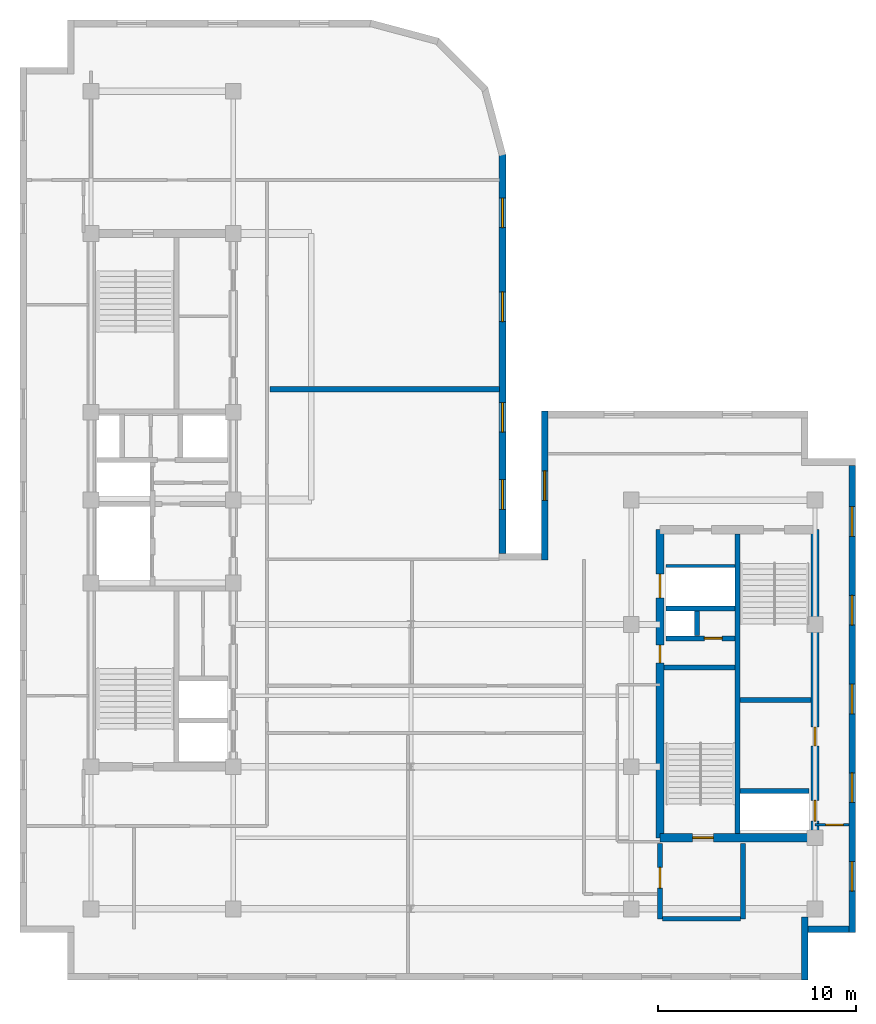
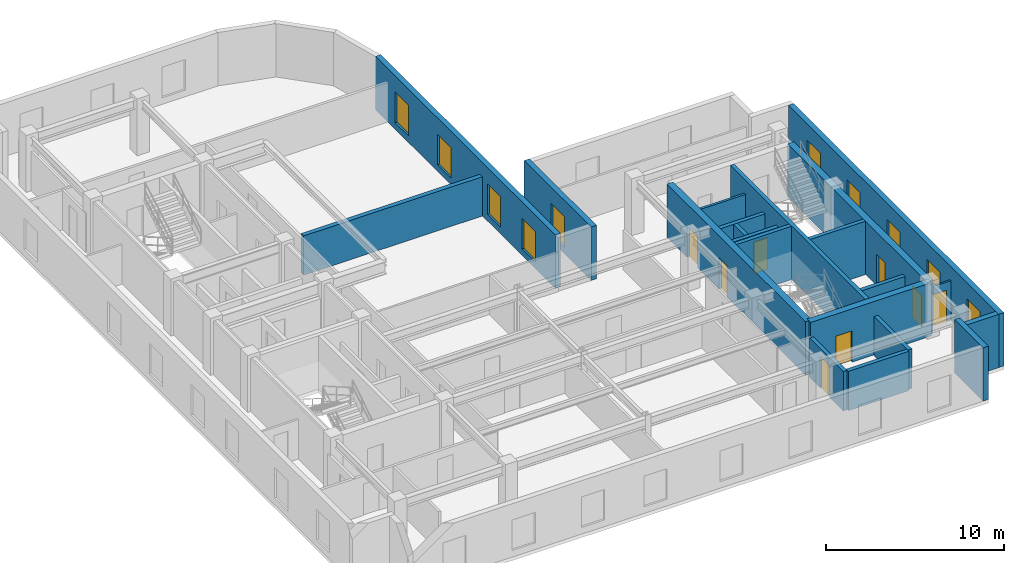
# One storey, part 5 of 9: 21 walls, 10 windows, 8 doors, 18 openings.
"""IFC4 building model written with IfcOpenShell, lengths in metres."""

from ifc_helpers import new_model, entity, si_unit, converted_unit, direction, frame, origin_with_axes, origin_2d_with_axis, place, context, subcontext, project, spatial, polyline, rectangle, outline, extrude, material, layer, layer_set, type_object, element, fill, save


model = new_model("IFC4")

# Units and contexts
model_context = context("Model", 3, precision=1e-05, world=origin_with_axes(), true_north=direction((0.0, 1.0)))
body_context = subcontext(model_context, "Body", "Model", "MODEL_VIEW")
ifc_project = project(units=[si_unit("LENGTHUNIT", "METRE"), si_unit("AREAUNIT", "SQUARE_METRE"), si_unit("VOLUMEUNIT", "CUBIC_METRE"), converted_unit("PLANEANGLEUNIT", "DEGREE", entity("IfcPlaneAngleMeasure", 0.017453292519943295), si_unit("PLANEANGLEUNIT", "RADIAN"), dimensions=[0, 0, 0, 0, 0, 0, 0]), si_unit("MASSUNIT", "GRAM", prefix="KILO"), si_unit("THERMODYNAMICTEMPERATUREUNIT", "KELVIN")], contexts=[model_context])

# Site, building, storey
site_placement = place(None, origin_with_axes())
site = spatial("IfcSite", under=ifc_project, at=site_placement, CompositionType="ELEMENT")
building_placement = place(site_placement, origin_with_axes())
building = spatial("IfcBuilding", under=site, at=building_placement, Name="Varnlund Millrace Tower", CompositionType="ELEMENT")
storey_placement = place(building_placement, frame((0.0, 0.0, 252.9), z_axis=(0.0, 0.0, 1.0), x_axis=(1.0, 0.0, 0.0)))
storey = spatial("IfcBuildingStorey", under=building, at=storey_placement, Name="L62", CompositionType="ELEMENT", Elevation=252.9)

# Wall, openings, doors
ifc_material_1 = material(Name="Concrete C60/75", Category="concrete")
ifc_layer_1 = layer(ifc_material_1, 0.42, Name="Concrete C60/75")
ifc_layer_set_1 = layer_set([ifc_layer_1], Name="Concrete C60/75")
wall_type_1 = type_object("IfcWallType", Name="Type-CoreWall-Shear-420-C60", PredefinedType="SHEAR", material=ifc_layer_set_1)
wall_1_placement = place(storey_placement, frame((40.2, 7.2, 0.0), z_axis=(0.0, 0.0, 1.0), x_axis=(0.0, 1.0, 0.0)))
wall_1 = element("IfcWall", 1, at=wall_1_placement, inside=storey, type_object=wall_type_1, Name="Type-CoreWall-Shear-420-C60", PredefinedType="SHEAR", context=body_context, shape_type="SweptSolid", body=[
    extrude(outline(polyline([(0.0, -0.21), (15.6, -0.21), (15.6, 0.21), (0.0, 0.21), (0.0, -0.21)])), origin_with_axes(), (0.0, 0.0, 1.0), 3.66),
])
opening_1_placement = place(wall_1_placement, frame((12.75, 0.0, 0.0), z_axis=(0.0, 0.0, 1.0), x_axis=(1.0, 0.0, 0.0)))
opening_1 = element("IfcOpeningElement", 2, at=opening_1_placement, cuts=wall_1, Name="Opening L62:LD-SRV2", PredefinedType="OPENING", context=body_context, shape_type="SweptSolid", body=[
    extrude(rectangle(XDim=1.2, YDim=0.44, at=origin_2d_with_axis()), origin_with_axes(), (0.0, 0.0, 1.0), 2.15),
])
opening_2_placement = place(wall_1_placement, frame((9.3, 0.0, 0.0), z_axis=(0.0, 0.0, 1.0), x_axis=(1.0, 0.0, 0.0)))
opening_2 = element("IfcOpeningElement", 3, at=opening_2_placement, cuts=wall_1, Name="Opening L62:DR-CB-JAN", PredefinedType="OPENING", context=body_context, shape_type="SweptSolid", body=[
    extrude(rectangle(XDim=0.9, YDim=0.44, at=origin_2d_with_axis()), origin_with_axes(), (0.0, 0.0, 1.0), 2.15),
])
ifc_material_2 = material(Name="Fire-rated hollow steel service closet door", Category="steel")
door_type_1 = type_object("IfcDoorType", Name="Type-FireDoor-Closet-900X2150", OperationType="NOTDEFINED", PredefinedType="DOOR", material=ifc_material_2)
door_1_placement = place(wall_1_placement, frame((9.3, 0.0, 0.0), z_axis=(0.0, 0.0, 1.0), x_axis=(1.0, 0.0, 0.0)))
door_1 = element("IfcDoor", 4, at=door_1_placement, inside=storey, type_object=door_type_1, Name="Type-FireDoor-Closet-900X2150", OperationType="SINGLE_SWING_RIGHT", OverallHeight=2.15, OverallWidth=0.9, PredefinedType="DOOR", context=body_context, shape_type="SweptSolid", body=[
    extrude(rectangle(XDim=0.9, YDim=0.09, at=origin_2d_with_axis()), origin_with_axes(), (0.0, 0.0, 1.0), 2.15),
])
fill(opening_2, door_1)
ifc_material_3 = material(Name="Heavy-duty freight sliding landing door")
door_type_2 = type_object("IfcDoorType", Name="Type-LiftLandingDoor-Service-1200X2150", OperationType="NOTDEFINED", PredefinedType="DOOR", material=ifc_material_3)
door_2_placement = place(wall_1_placement, frame((12.75, 0.0, 0.0), z_axis=(0.0, 0.0, 1.0), x_axis=(1.0, 0.0, 0.0)))
door_2 = element("IfcDoor", 5, at=door_2_placement, inside=storey, type_object=door_type_2, Name="Type-LiftLandingDoor-Service-1200X2150", OperationType="DOUBLE_DOOR_SLIDING", OverallHeight=2.15, OverallWidth=1.2, PredefinedType="DOOR", context=body_context, shape_type="SweptSolid", body=[
    extrude(rectangle(XDim=1.2, YDim=0.09, at=origin_2d_with_axis()), origin_with_axes(), (0.0, 0.0, 1.0), 2.15),
])
fill(opening_1, door_2)

# Wall, opening, door
wall_2_placement = place(storey_placement, frame((40.2, 7.2, 0.0), z_axis=(0.0, 0.0, 1.0), x_axis=(1.0, 0.0, 0.0)))
wall_2 = element("IfcWall", 6, at=wall_2_placement, inside=storey, type_object=wall_type_1, Name="Type-CoreWall-Shear-420-C60", PredefinedType="SHEAR", context=body_context, shape_type="SweptSolid", body=[
    extrude(outline(polyline([(0.0, -0.21), (7.85, -0.21), (7.85, 0.21), (0.0, 0.21), (0.0, -0.21)])), origin_with_axes(), (0.0, 0.0, 1.0), 3.66),
])
opening_3_placement = place(wall_2_placement, frame((2.175, 0.0, 0.0), z_axis=(0.0, 0.0, 1.0), x_axis=(1.0, 0.0, 0.0)))
opening_3 = element("IfcOpeningElement", 7, at=opening_3_placement, cuts=wall_2, Name="Opening L62:DR-STB1", PredefinedType="OPENING", context=body_context, shape_type="SweptSolid", body=[
    extrude(rectangle(XDim=1.05, YDim=0.44, at=origin_2d_with_axis()), origin_with_axes(), (0.0, 0.0, 1.0), 2.15),
])
ifc_material_4 = material(Name="Fire-rated hollow steel door", Category="steel")
door_type_3 = type_object("IfcDoorType", Name="Type-FireDoor-Stair-1050X2150", OperationType="NOTDEFINED", PredefinedType="DOOR", material=ifc_material_4)
door_3_placement = place(wall_2_placement, frame((2.175, 0.0, 0.0), z_axis=(0.0, 0.0, 1.0), x_axis=(1.0, 0.0, 0.0)))
door_3 = element("IfcDoor", 8, at=door_3_placement, inside=storey, type_object=door_type_3, Name="Type-FireDoor-Stair-1050X2150", OperationType="SINGLE_SWING_LEFT", OverallHeight=2.15, OverallWidth=1.05, PredefinedType="DOOR", context=body_context, shape_type="SweptSolid", body=[
    extrude(rectangle(XDim=1.05, YDim=0.09, at=origin_2d_with_axis()), origin_with_axes(), (0.0, 0.0, 1.0), 2.15),
])
fill(opening_3, door_3)

# Wall, openings, doors
wall_3_placement = place(storey_placement, frame((48.05, 7.2, 0.0), z_axis=(0.0, 0.0, 1.0), x_axis=(0.0, 1.0, 0.0)))
wall_3 = element("IfcWall", 9, at=wall_3_placement, inside=storey, type_object=wall_type_1, Name="Type-CoreWall-Shear-420-C60", PredefinedType="SHEAR", context=body_context, shape_type="SweptSolid", body=[
    extrude(outline(polyline([(0.0, -0.21), (15.6, -0.21), (15.6, 0.21), (0.0, 0.21), (0.0, -0.21)])), origin_with_axes(), (0.0, 0.0, 1.0), 3.66),
])
opening_4_placement = place(wall_3_placement, frame((1.375, 0.0, 0.0), z_axis=(0.0, 0.0, 1.0), x_axis=(1.0, 0.0, 0.0)))
opening_4 = element("IfcOpeningElement", 10, at=opening_4_placement, cuts=wall_3, Name="Opening L62:LD-ELV-H3", PredefinedType="OPENING", context=body_context, shape_type="SweptSolid", body=[
    extrude(rectangle(XDim=1.05, YDim=0.44, at=origin_2d_with_axis()), origin_with_axes(), (0.0, 0.0, 1.0), 2.15),
])
opening_5_placement = place(wall_3_placement, frame((5.125, 0.0, 0.0), z_axis=(0.0, 0.0, 1.0), x_axis=(1.0, 0.0, 0.0)))
opening_5 = element("IfcOpeningElement", 11, at=opening_5_placement, cuts=wall_3, Name="Opening L62:DR-CB-WC", PredefinedType="OPENING", context=body_context, shape_type="SweptSolid", body=[
    extrude(rectangle(XDim=0.95, YDim=0.44, at=origin_2d_with_axis()), origin_with_axes(), (0.0, 0.0, 1.0), 2.15),
])
ifc_material_5 = material(Name="Fire-rated hollow steel core service door", Category="steel")
door_type_4 = type_object("IfcDoorType", Name="Type-FireDoor-Service-950X2150", OperationType="NOTDEFINED", PredefinedType="DOOR", material=ifc_material_5)
door_4_placement = place(wall_3_placement, frame((5.125, 0.0, 0.0), z_axis=(0.0, 0.0, 1.0), x_axis=(1.0, 0.0, 0.0)))
door_4 = element("IfcDoor", 12, at=door_4_placement, inside=storey, type_object=door_type_4, Name="Type-FireDoor-Service-950X2150", OperationType="SINGLE_SWING_LEFT", OverallHeight=2.15, OverallWidth=0.95, PredefinedType="DOOR", context=body_context, shape_type="SweptSolid", body=[
    extrude(rectangle(XDim=0.95, YDim=0.09, at=origin_2d_with_axis()), origin_with_axes(), (0.0, 0.0, 1.0), 2.15),
])
fill(opening_5, door_4)
ifc_material_6 = material(Name="Architectural bronze sliding landing door")
door_type_5 = type_object("IfcDoorType", Name="Type-LiftLandingDoor-Compact-1050X2150", OperationType="NOTDEFINED", PredefinedType="DOOR", material=ifc_material_6)
door_5_placement = place(wall_3_placement, frame((1.375, 0.0, 0.0), z_axis=(0.0, 0.0, 1.0), x_axis=(1.0, 0.0, 0.0)))
door_5 = element("IfcDoor", 13, at=door_5_placement, inside=storey, type_object=door_type_5, Name="Type-LiftLandingDoor-Compact-1050X2150", OperationType="SLIDING_TO_LEFT", OverallHeight=2.15, OverallWidth=1.05, PredefinedType="DOOR", context=body_context, shape_type="SweptSolid", body=[
    extrude(rectangle(XDim=1.05, YDim=0.09, at=origin_2d_with_axis()), origin_with_axes(), (0.0, 0.0, 1.0), 2.15),
])
fill(opening_4, door_5)

# Wall, opening, window
ifc_material_7 = material(Name="Precast concrete C50/60", Category="concrete")
ifc_layer_2 = layer(ifc_material_7, 0.34, Name="Precast concrete C50/60")
ifc_layer_set_2 = layer_set([ifc_layer_2], Name="Precast concrete C50/60")
wall_type_2 = type_object("IfcWallType", Name="Type-ExtWall-Precast-Upper-340", PredefinedType="SOLIDWALL", material=ifc_layer_set_2)
wall_4_placement = place(storey_placement, frame((34.37, 21.26, 0.0), z_axis=(0.0, 0.0, 1.0), x_axis=(0.0, 1.0, 0.0)))
wall_4 = element("IfcWall", 14, at=wall_4_placement, inside=storey, type_object=wall_type_2, Name="Type-ExtWall-Precast-Upper-340", PredefinedType="SOLIDWALL", context=body_context, shape_type="SweptSolid", body=[
    extrude(outline(polyline([(0.0, -0.17), (7.54, -0.17), (7.54, 0.17), (0.0, 0.17), (0.0, -0.17)])), origin_with_axes(), (0.0, 0.0, 1.0), 3.66),
])
opening_6_placement = place(wall_4_placement, frame((3.77, 0.0, 0.45), z_axis=(0.0, 0.0, 1.0), x_axis=(1.0, 0.0, 0.0)))
opening_6 = element("IfcOpeningElement", 15, at=opening_6_placement, cuts=wall_4, Name="Opening L62:WN-01", PredefinedType="OPENING", context=body_context, shape_type="SweptSolid", body=[
    extrude(rectangle(XDim=1.5, YDim=0.36, at=origin_2d_with_axis()), origin_with_axes(), (0.0, 0.0, 1.0), 2.1),
])
ifc_material_8 = material(Name="Argon low-e triple glazing in thermally broken bronze frame", Category="glass")
window_type = type_object("IfcWindowType", Name="Type-Window-Punched-1500X2100", PartitioningType="SINGLE_PANEL", PredefinedType="WINDOW", material=ifc_material_8)
window_1_placement = place(wall_4_placement, frame((3.77, 0.0, 0.45), z_axis=(0.0, 0.0, 1.0), x_axis=(1.0, 0.0, 0.0)))
window_1 = element("IfcWindow", 16, at=window_1_placement, inside=storey, type_object=window_type, Name="Type-Window-Punched-1500X2100", OverallHeight=2.1, OverallWidth=1.5, PredefinedType="WINDOW", context=body_context, shape_type="SweptSolid", body=[
    extrude(rectangle(XDim=1.5, YDim=0.09, at=origin_2d_with_axis()), origin_with_axes(), (0.0, 0.0, 1.0), 2.1),
])
fill(opening_6, window_1)

# Wall, openings, windows
wall_5_placement = place(storey_placement, frame((49.93, 26.06, 0.0), z_axis=(0.0, 0.0, 1.0), x_axis=(0.0, -1.0, 0.0)))
wall_5 = element("IfcWall", 17, at=wall_5_placement, inside=storey, type_object=wall_type_2, Name="Type-ExtWall-Precast-Upper-340", PredefinedType="SOLIDWALL", context=body_context, shape_type="SweptSolid", body=[
    extrude(outline(polyline([(0.0, -0.17), (23.66, -0.17), (23.66, 0.17), (0.0, 0.17), (0.0, -0.17)])), origin_with_axes(), (0.0, 0.0, 1.0), 3.66),
])
opening_7_placement = place(wall_5_placement, frame((2.846, 0.0, 0.45), z_axis=(0.0, 0.0, 1.0), x_axis=(1.0, 0.0, 0.0)))
opening_7 = element("IfcOpeningElement", 18, at=opening_7_placement, cuts=wall_5, Name="Opening L62:WN-04", PredefinedType="OPENING", context=body_context, shape_type="SweptSolid", body=[
    extrude(rectangle(XDim=1.5, YDim=0.36, at=origin_2d_with_axis()), origin_with_axes(), (0.0, 0.0, 1.0), 2.1),
])
opening_8_placement = place(wall_5_placement, frame((7.338, 0.0, 0.45), z_axis=(0.0, 0.0, 1.0), x_axis=(1.0, 0.0, 0.0)))
opening_8 = element("IfcOpeningElement", 19, at=opening_8_placement, cuts=wall_5, Name="Opening L62:WN-05", PredefinedType="OPENING", context=body_context, shape_type="SweptSolid", body=[
    extrude(rectangle(XDim=1.5, YDim=0.36, at=origin_2d_with_axis()), origin_with_axes(), (0.0, 0.0, 1.0), 2.1),
])
opening_9_placement = place(wall_5_placement, frame((11.83, 0.0, 0.45), z_axis=(0.0, 0.0, 1.0), x_axis=(1.0, 0.0, 0.0)))
opening_9 = element("IfcOpeningElement", 20, at=opening_9_placement, cuts=wall_5, Name="Opening L62:WN-06", PredefinedType="OPENING", context=body_context, shape_type="SweptSolid", body=[
    extrude(rectangle(XDim=1.5, YDim=0.36, at=origin_2d_with_axis()), origin_with_axes(), (0.0, 0.0, 1.0), 2.1),
])
opening_10_placement = place(wall_5_placement, frame((16.322, 0.0, 0.45), z_axis=(0.0, 0.0, 1.0), x_axis=(1.0, 0.0, 0.0)))
opening_10 = element("IfcOpeningElement", 21, at=opening_10_placement, cuts=wall_5, Name="Opening L62:WN-07", PredefinedType="OPENING", context=body_context, shape_type="SweptSolid", body=[
    extrude(rectangle(XDim=1.5, YDim=0.36, at=origin_2d_with_axis()), origin_with_axes(), (0.0, 0.0, 1.0), 2.1),
])
opening_11_placement = place(wall_5_placement, frame((20.814, 0.0, 0.45), z_axis=(0.0, 0.0, 1.0), x_axis=(1.0, 0.0, 0.0)))
opening_11 = element("IfcOpeningElement", 22, at=opening_11_placement, cuts=wall_5, Name="Opening L62:WN-08", PredefinedType="OPENING", context=body_context, shape_type="SweptSolid", body=[
    extrude(rectangle(XDim=1.5, YDim=0.36, at=origin_2d_with_axis()), origin_with_axes(), (0.0, 0.0, 1.0), 2.1),
])
window_2_placement = place(wall_5_placement, frame((2.846, 0.0, 0.45), z_axis=(0.0, 0.0, 1.0), x_axis=(1.0, 0.0, 0.0)))
window_2 = element("IfcWindow", 23, at=window_2_placement, inside=storey, type_object=window_type, Name="Type-Window-Punched-1500X2100", OverallHeight=2.1, OverallWidth=1.5, PredefinedType="WINDOW", context=body_context, shape_type="SweptSolid", body=[
    extrude(rectangle(XDim=1.5, YDim=0.09, at=origin_2d_with_axis()), origin_with_axes(), (0.0, 0.0, 1.0), 2.1),
])
fill(opening_7, window_2)
window_3_placement = place(wall_5_placement, frame((7.338, 0.0, 0.45), z_axis=(0.0, 0.0, 1.0), x_axis=(1.0, 0.0, 0.0)))
window_3 = element("IfcWindow", 24, at=window_3_placement, inside=storey, type_object=window_type, Name="Type-Window-Punched-1500X2100", OverallHeight=2.1, OverallWidth=1.5, PredefinedType="WINDOW", context=body_context, shape_type="SweptSolid", body=[
    extrude(rectangle(XDim=1.5, YDim=0.09, at=origin_2d_with_axis()), origin_with_axes(), (0.0, 0.0, 1.0), 2.1),
])
fill(opening_8, window_3)
window_4_placement = place(wall_5_placement, frame((11.83, 0.0, 0.45), z_axis=(0.0, 0.0, 1.0), x_axis=(1.0, 0.0, 0.0)))
window_4 = element("IfcWindow", 25, at=window_4_placement, inside=storey, type_object=window_type, Name="Type-Window-Punched-1500X2100", OverallHeight=2.1, OverallWidth=1.5, PredefinedType="WINDOW", context=body_context, shape_type="SweptSolid", body=[
    extrude(rectangle(XDim=1.5, YDim=0.09, at=origin_2d_with_axis()), origin_with_axes(), (0.0, 0.0, 1.0), 2.1),
])
fill(opening_9, window_4)
window_5_placement = place(wall_5_placement, frame((16.322, 0.0, 0.45), z_axis=(0.0, 0.0, 1.0), x_axis=(1.0, 0.0, 0.0)))
window_5 = element("IfcWindow", 26, at=window_5_placement, inside=storey, type_object=window_type, Name="Type-Window-Punched-1500X2100", OverallHeight=2.1, OverallWidth=1.5, PredefinedType="WINDOW", context=body_context, shape_type="SweptSolid", body=[
    extrude(rectangle(XDim=1.5, YDim=0.09, at=origin_2d_with_axis()), origin_with_axes(), (0.0, 0.0, 1.0), 2.1),
])
fill(opening_10, window_5)
window_6_placement = place(wall_5_placement, frame((20.814, 0.0, 0.45), z_axis=(0.0, 0.0, 1.0), x_axis=(1.0, 0.0, 0.0)))
window_6 = element("IfcWindow", 27, at=window_6_placement, inside=storey, type_object=window_type, Name="Type-Window-Punched-1500X2100", OverallHeight=2.1, OverallWidth=1.5, PredefinedType="WINDOW", context=body_context, shape_type="SweptSolid", body=[
    extrude(rectangle(XDim=1.5, YDim=0.09, at=origin_2d_with_axis()), origin_with_axes(), (0.0, 0.0, 1.0), 2.1),
])
fill(opening_11, window_6)

# Walls
wall_6_placement = place(storey_placement, frame((49.76, 2.57, 0.0), z_axis=(0.0, 0.0, 1.0), x_axis=(-1.0, 0.0, 0.0)))
element("IfcWall", 28, at=wall_6_placement, inside=storey, type_object=wall_type_2, Name="Type-ExtWall-Precast-Upper-340", PredefinedType="SOLIDWALL", context=body_context, shape_type="SweptSolid", body=[
    extrude(outline(polyline([(0.0, -0.17), (2.06, -0.17), (2.06, 0.17), (0.0, 0.17), (0.0, -0.17)])), origin_with_axes(), (0.0, 0.0, 1.0), 3.66),
])
wall_7_placement = place(storey_placement, frame((47.53, 3.2, 0.0), z_axis=(0.0, 0.0, 1.0), x_axis=(0.0, -1.0, 0.0)))
element("IfcWall", 29, at=wall_7_placement, inside=storey, type_object=wall_type_2, Name="Type-ExtWall-Precast-Upper-340", PredefinedType="SOLIDWALL", context=body_context, shape_type="SweptSolid", body=[
    extrude(outline(polyline([(0.0, -0.17), (3.2, -0.17), (3.2, 0.17), (0.0, 0.17), (0.0, -0.17)])), origin_with_axes(), (0.0, 0.0, 1.0), 3.66),
])

# Wall, openings, windows
wall_8_placement = place(storey_placement, frame((32.23, 41.82, 0.0), z_axis=(0.0, 0.0, 1.0), x_axis=(0.0, -1.0, 0.0)))
wall_8 = element("IfcWall", 30, at=wall_8_placement, inside=storey, type_object=wall_type_2, Name="Type-ExtWall-Precast-Upper-340", PredefinedType="SOLIDWALL", context=body_context, shape_type="SweptSolid", body=[
    extrude(outline(polyline([(0.0, -0.17), (20.22, -0.17), (20.22, 0.17), (0.0, 0.17), (0.0, -0.17)])), origin_with_axes(), (0.0, 0.0, 1.0), 3.66),
])
opening_12_placement = place(wall_8_placement, frame((2.978, 0.0, 0.45), z_axis=(0.0, 0.0, 1.0), x_axis=(1.0, 0.0, 0.0)))
opening_12 = element("IfcOpeningElement", 31, at=opening_12_placement, cuts=wall_8, Name="Opening L62:WN-28", PredefinedType="OPENING", context=body_context, shape_type="SweptSolid", body=[
    extrude(rectangle(XDim=1.5, YDim=0.36, at=origin_2d_with_axis()), origin_with_axes(), (0.0, 0.0, 1.0), 2.1),
])
opening_13_placement = place(wall_8_placement, frame((7.732, 0.0, 0.45), z_axis=(0.0, 0.0, 1.0), x_axis=(1.0, 0.0, 0.0)))
opening_13 = element("IfcOpeningElement", 32, at=opening_13_placement, cuts=wall_8, Name="Opening L62:WN-29", PredefinedType="OPENING", context=body_context, shape_type="SweptSolid", body=[
    extrude(rectangle(XDim=1.5, YDim=0.36, at=origin_2d_with_axis()), origin_with_axes(), (0.0, 0.0, 1.0), 2.1),
])
opening_14_placement = place(wall_8_placement, frame((13.337, 0.0, 0.45), z_axis=(0.0, 0.0, 1.0), x_axis=(1.0, 0.0, 0.0)))
opening_14 = element("IfcOpeningElement", 33, at=opening_14_placement, cuts=wall_8, Name="Opening L62:WN-30", PredefinedType="OPENING", context=body_context, shape_type="SweptSolid", body=[
    extrude(rectangle(XDim=1.5, YDim=0.36, at=origin_2d_with_axis()), origin_with_axes(), (0.0, 0.0, 1.0), 2.1),
])
opening_15_placement = place(wall_8_placement, frame((17.242, 0.0, 0.45), z_axis=(0.0, 0.0, 1.0), x_axis=(1.0, 0.0, 0.0)))
opening_15 = element("IfcOpeningElement", 34, at=opening_15_placement, cuts=wall_8, Name="Opening L62:WN-31", PredefinedType="OPENING", context=body_context, shape_type="SweptSolid", body=[
    extrude(rectangle(XDim=1.5, YDim=0.36, at=origin_2d_with_axis()), origin_with_axes(), (0.0, 0.0, 1.0), 2.1),
])
window_7_placement = place(wall_8_placement, frame((2.978, 0.0, 0.45), z_axis=(0.0, 0.0, 1.0), x_axis=(1.0, 0.0, 0.0)))
window_7 = element("IfcWindow", 35, at=window_7_placement, inside=storey, type_object=window_type, Name="Type-Window-Punched-1500X2100", OverallHeight=2.1, OverallWidth=1.5, PredefinedType="WINDOW", context=body_context, shape_type="SweptSolid", body=[
    extrude(rectangle(XDim=1.5, YDim=0.09, at=origin_2d_with_axis()), origin_with_axes(), (0.0, 0.0, 1.0), 2.1),
])
fill(opening_12, window_7)
window_8_placement = place(wall_8_placement, frame((7.732, 0.0, 0.45), z_axis=(0.0, 0.0, 1.0), x_axis=(1.0, 0.0, 0.0)))
window_8 = element("IfcWindow", 36, at=window_8_placement, inside=storey, type_object=window_type, Name="Type-Window-Punched-1500X2100", OverallHeight=2.1, OverallWidth=1.5, PredefinedType="WINDOW", context=body_context, shape_type="SweptSolid", body=[
    extrude(rectangle(XDim=1.5, YDim=0.09, at=origin_2d_with_axis()), origin_with_axes(), (0.0, 0.0, 1.0), 2.1),
])
fill(opening_13, window_8)
window_9_placement = place(wall_8_placement, frame((13.337, 0.0, 0.45), z_axis=(0.0, 0.0, 1.0), x_axis=(1.0, 0.0, 0.0)))
window_9 = element("IfcWindow", 37, at=window_9_placement, inside=storey, type_object=window_type, Name="Type-Window-Punched-1500X2100", OverallHeight=2.1, OverallWidth=1.5, PredefinedType="WINDOW", context=body_context, shape_type="SweptSolid", body=[
    extrude(rectangle(XDim=1.5, YDim=0.09, at=origin_2d_with_axis()), origin_with_axes(), (0.0, 0.0, 1.0), 2.1),
])
fill(opening_14, window_9)
window_10_placement = place(wall_8_placement, frame((17.242, 0.0, 0.45), z_axis=(0.0, 0.0, 1.0), x_axis=(1.0, 0.0, 0.0)))
window_10 = element("IfcWindow", 38, at=window_10_placement, inside=storey, type_object=window_type, Name="Type-Window-Punched-1500X2100", OverallHeight=2.1, OverallWidth=1.5, PredefinedType="WINDOW", context=body_context, shape_type="SweptSolid", body=[
    extrude(rectangle(XDim=1.5, YDim=0.09, at=origin_2d_with_axis()), origin_with_axes(), (0.0, 0.0, 1.0), 2.1),
])
fill(opening_15, window_10)

# Walls
ifc_material_9 = material(Name="Double-stud STC-60 conference acoustic partition", Category="gypsum")
ifc_layer_3 = layer(ifc_material_9, 0.28, Name="Double-stud STC-60 conference acoustic partition")
ifc_layer_set_3 = layer_set([ifc_layer_3], Name="Double-stud STC-60 conference acoustic partition")
wall_type_3 = type_object("IfcWallType", Name="Type-Partition-Acoustic-280", PredefinedType="PARTITIONING", material=ifc_layer_set_3)
wall_9_placement = place(storey_placement, frame((20.45, 29.92, 0.0), z_axis=(0.0, 0.0, 1.0), x_axis=(1.0, 0.0, 0.0)))
element("IfcWall", 39, at=wall_9_placement, inside=storey, type_object=wall_type_3, Name="Type-Partition-Acoustic-280", PredefinedType="PARTITIONING", context=body_context, shape_type="SweptSolid", body=[
    extrude(outline(polyline([(0.0, -0.14), (11.615, -0.14), (11.615, 0.14), (0.0, 0.14), (0.0, -0.14)])), origin_with_axes(), (0.0, 0.0, 1.0), 2.7),
])
ifc_material_10 = material(Name="Fire-rated gypsum board on cold-formed steel framing", Category="steel")
ifc_layer_4 = layer(ifc_material_10, 0.16, Name="Fire-rated gypsum board on cold-formed steel framing")
ifc_layer_set_4 = layer_set([ifc_layer_4], Name="Fire-rated gypsum board on cold-formed steel framing")
wall_type_4 = type_object("IfcWallType", Name="Type-Partition-Corridor-160", PredefinedType="PARTITIONING", material=ifc_layer_set_4)
wall_10_placement = place(storey_placement, frame((40.5, 20.96, 0.0), z_axis=(0.0, 0.0, 1.0), x_axis=(1.0, 0.0, 0.0)))
element("IfcWall", 40, at=wall_10_placement, inside=storey, type_object=wall_type_4, Name="Type-Partition-Corridor-160", PredefinedType="PARTITIONING", context=body_context, shape_type="SweptSolid", body=[
    extrude(outline(polyline([(0.0, -0.08), (3.5, -0.08), (3.5, 0.08), (0.0, 0.08), (0.0, -0.08)])), origin_with_axes(), (0.0, 0.0, 1.0), 2.7),
])

# Wall, opening, door
ifc_material_11 = material(Name="Gypsum board tenant partition", Category="gypsum")
ifc_layer_5 = layer(ifc_material_11, 0.125, Name="Gypsum board tenant partition")
ifc_layer_set_5 = layer_set([ifc_layer_5], Name="Gypsum board tenant partition")
wall_type_5 = type_object("IfcWallType", Name="Type-Partition-Tenant-125", PredefinedType="PARTITIONING", material=ifc_layer_set_5)
wall_11_placement = place(storey_placement, frame((49.765, 7.85, 0.0), z_axis=(0.0, 0.0, 1.0), x_axis=(-1.0, 0.0, 0.0)))
wall_11 = element("IfcWall", 41, at=wall_11_placement, inside=storey, type_object=wall_type_5, Name="Type-Partition-Tenant-125", PredefinedType="PARTITIONING", context=body_context, shape_type="SweptSolid", body=[
    extrude(outline(polyline([(0.0, -0.0625), (1.715, -0.0625), (1.715, 0.0625), (0.0, 0.0625), (0.0, -0.0625)])), origin_with_axes(), (0.0, 0.0, 1.0), 2.7),
])
opening_16_placement = place(wall_11_placement, frame((0.725, 0.0, 0.0), z_axis=(0.0, 0.0, 1.0), x_axis=(1.0, 0.0, 0.0)))
opening_16 = element("IfcOpeningElement", 42, at=opening_16_placement, cuts=wall_11, Name="Opening L62:DR-WBS-01", PredefinedType="OPENING", context=body_context, shape_type="SweptSolid", body=[
    extrude(rectangle(XDim=0.9, YDim=0.145, at=origin_2d_with_axis()), origin_with_axes(), (0.0, 0.0, 1.0), 2.15),
])
ifc_material_12 = material(Name="Painted steel riser and closet door", Category="steel")
door_type_6 = type_object("IfcDoorType", Name="Type-IntDoor-Closet-900X2150", OperationType="NOTDEFINED", PredefinedType="DOOR", material=ifc_material_12)
door_6_placement = place(wall_11_placement, frame((0.725, 0.0, 0.0), z_axis=(0.0, 0.0, 1.0), x_axis=(1.0, 0.0, 0.0)))
door_6 = element("IfcDoor", 43, at=door_6_placement, inside=storey, type_object=door_type_6, Name="Type-IntDoor-Closet-900X2150", OperationType="SINGLE_SWING_LEFT", OverallHeight=2.15, OverallWidth=0.9, PredefinedType="DOOR", context=body_context, shape_type="SweptSolid", body=[
    extrude(rectangle(XDim=0.9, YDim=0.075, at=origin_2d_with_axis()), origin_with_axes(), (0.0, 0.0, 1.0), 2.15),
])
fill(opening_16, door_6)

ifc_layer_6 = layer(ifc_material_1, 0.25, Name="Concrete C60/75")
ifc_layer_set_6 = layer_set([ifc_layer_6], Name="Concrete C60/75")
wall_type_6 = type_object("IfcWallType", Name="Type-ShaftWall-Fire-250", PredefinedType="SOLIDWALL", material=ifc_layer_set_6)
wall_12_placement = place(storey_placement, frame((40.5, 17.3, 0.0), z_axis=(0.0, 0.0, 1.0), x_axis=(1.0, 0.0, 0.0)))
wall_12 = element("IfcWall", 44, at=wall_12_placement, inside=storey, type_object=wall_type_6, Name="Type-ShaftWall-Fire-250", PredefinedType="SOLIDWALL", context=body_context, shape_type="SweptSolid", body=[
    extrude(outline(polyline([(0.0, -0.125), (3.5, -0.125), (3.5, 0.125), (0.0, 0.125), (0.0, -0.125)])), origin_with_axes(), (0.0, 0.0, 1.0), 2.7),
])
opening_17_placement = place(wall_12_placement, frame((2.4, 0.0, 0.0), z_axis=(0.0, 0.0, 1.0), x_axis=(1.0, 0.0, 0.0)))
opening_17 = element("IfcOpeningElement", 45, at=opening_17_placement, cuts=wall_12, Name="Opening L62:DR-CB-ELC", PredefinedType="OPENING", context=body_context, shape_type="SweptSolid", body=[
    extrude(rectangle(XDim=0.9, YDim=0.27, at=origin_2d_with_axis()), origin_with_axes(), (0.0, 0.0, 1.0), 2.15),
])
door_7_placement = place(wall_12_placement, frame((2.4, 0.0, 0.0), z_axis=(0.0, 0.0, 1.0), x_axis=(1.0, 0.0, 0.0)))
door_7 = element("IfcDoor", 46, at=door_7_placement, inside=storey, type_object=door_type_1, Name="Type-FireDoor-Closet-900X2150", OperationType="SINGLE_SWING_LEFT", OverallHeight=2.15, OverallWidth=0.9, PredefinedType="DOOR", context=body_context, shape_type="SweptSolid", body=[
    extrude(rectangle(XDim=0.9, YDim=0.09, at=origin_2d_with_axis()), origin_with_axes(), (0.0, 0.0, 1.0), 2.15),
])
fill(opening_17, door_7)

# Walls
wall_13_placement = place(storey_placement, frame((40.5, 18.8, 0.0), z_axis=(0.0, 0.0, 1.0), x_axis=(1.0, 0.0, 0.0)))
element("IfcWall", 47, at=wall_13_placement, inside=storey, type_object=wall_type_6, Name="Type-ShaftWall-Fire-250", PredefinedType="SOLIDWALL", context=body_context, shape_type="SweptSolid", body=[
    extrude(outline(polyline([(0.0, -0.125), (3.5, -0.125), (3.5, 0.125), (0.0, 0.125), (0.0, -0.125)])), origin_with_axes(), (0.0, 0.0, 1.0), 2.7),
])
wall_14_placement = place(storey_placement, frame((42.075, 17.43, 0.0), z_axis=(0.0, 0.0, 1.0), x_axis=(0.0, 1.0, 0.0)))
element("IfcWall", 48, at=wall_14_placement, inside=storey, type_object=wall_type_6, Name="Type-ShaftWall-Fire-250", PredefinedType="SOLIDWALL", context=body_context, shape_type="SweptSolid", body=[
    extrude(outline(polyline([(0.0, -0.125), (1.24, -0.125), (1.24, 0.125), (0.0, 0.125), (0.0, -0.125)])), origin_with_axes(), (0.0, 0.0, 1.0), 2.7),
])

# Wall, opening, door
wall_15_placement = place(storey_placement, frame((40.2, 3.1, 0.0), z_axis=(0.0, 0.0, 1.0), x_axis=(0.0, 1.0, 0.0)))
wall_15 = element("IfcWall", 49, at=wall_15_placement, inside=storey, type_object=wall_type_6, Name="Type-ShaftWall-Fire-250", PredefinedType="SOLIDWALL", context=body_context, shape_type="SweptSolid", body=[
    extrude(outline(polyline([(0.0, -0.125), (3.8, -0.125), (3.8, 0.125), (0.0, 0.125), (0.0, -0.125)])), origin_with_axes(), (0.0, 0.0, 1.0), 2.7),
])
opening_18_placement = place(wall_15_placement, frame((2.075, 0.0, 0.0), z_axis=(0.0, 0.0, 1.0), x_axis=(1.0, 0.0, 0.0)))
opening_18 = element("IfcOpeningElement", 50, at=opening_18_placement, cuts=wall_15, Name="Opening L62:DR-FFLOB-B", PredefinedType="OPENING", context=body_context, shape_type="SweptSolid", body=[
    extrude(rectangle(XDim=1.05, YDim=0.27, at=origin_2d_with_axis()), origin_with_axes(), (0.0, 0.0, 1.0), 2.15),
])
ifc_material_13 = material(Name="Smoke-barrier hollow steel fire door", Category="steel")
door_type_7 = type_object("IfcDoorType", Name="Type-FireDoor-Lobby-1050X2150", OperationType="NOTDEFINED", PredefinedType="DOOR", material=ifc_material_13)
door_8_placement = place(wall_15_placement, frame((2.075, 0.0, 0.0), z_axis=(0.0, 0.0, 1.0), x_axis=(1.0, 0.0, 0.0)))
door_8 = element("IfcDoor", 51, at=door_8_placement, inside=storey, type_object=door_type_7, Name="Type-FireDoor-Lobby-1050X2150", OperationType="SINGLE_SWING_LEFT", OverallHeight=2.15, OverallWidth=1.05, PredefinedType="DOOR", context=body_context, shape_type="SweptSolid", body=[
    extrude(rectangle(XDim=1.05, YDim=0.09, at=origin_2d_with_axis()), origin_with_axes(), (0.0, 0.0, 1.0), 2.15),
])
fill(opening_18, door_8)

# Walls
wall_16_placement = place(storey_placement, frame((40.325, 3.1, 0.0), z_axis=(0.0, 0.0, 1.0), x_axis=(1.0, 0.0, 0.0)))
element("IfcWall", 52, at=wall_16_placement, inside=storey, type_object=wall_type_6, Name="Type-ShaftWall-Fire-250", PredefinedType="SOLIDWALL", context=body_context, shape_type="SweptSolid", body=[
    extrude(outline(polyline([(0.0, -0.125), (3.95, -0.125), (3.95, 0.125), (0.0, 0.125), (0.0, -0.125)])), origin_with_axes(), (0.0, 0.0, 1.0), 2.7),
])
wall_17_placement = place(storey_placement, frame((44.4, 3.1, 0.0), z_axis=(0.0, 0.0, 1.0), x_axis=(0.0, 1.0, 0.0)))
element("IfcWall", 53, at=wall_17_placement, inside=storey, type_object=wall_type_6, Name="Type-ShaftWall-Fire-250", PredefinedType="SOLIDWALL", context=body_context, shape_type="SweptSolid", body=[
    extrude(outline(polyline([(0.0, -0.125), (3.8, -0.125), (3.8, 0.125), (0.0, 0.125), (0.0, -0.125)])), origin_with_axes(), (0.0, 0.0, 1.0), 2.7),
])
wall_18_placement = place(storey_placement, frame((44.25, 9.56, 0.0), z_axis=(0.0, 0.0, 1.0), x_axis=(1.0, 0.0, 0.0)))
element("IfcWall", 54, at=wall_18_placement, inside=storey, type_object=wall_type_6, Name="Type-ShaftWall-Fire-250", PredefinedType="SOLIDWALL", context=body_context, shape_type="SweptSolid", body=[
    extrude(outline(polyline([(0.0, -0.125), (3.5, -0.125), (3.5, 0.125), (0.0, 0.125), (0.0, -0.125)])), origin_with_axes(), (0.0, 0.0, 1.0), 2.7),
])
wall_type_7 = type_object("IfcWallType", Name="Type-StairWall-Shear-250", PredefinedType="SHEAR", material=ifc_layer_set_6)
wall_19_placement = place(storey_placement, frame((44.125, 7.41, 0.0), z_axis=(0.0, 0.0, 1.0), x_axis=(0.0, 1.0, 0.0)))
element("IfcWall", 55, at=wall_19_placement, inside=storey, type_object=wall_type_7, Name="Type-StairWall-Shear-250", PredefinedType="SHEAR", context=body_context, shape_type="SweptSolid", body=[
    extrude(outline(polyline([(0.0, -0.125), (15.18, -0.125), (15.18, 0.125), (0.0, 0.125), (0.0, -0.125)])), origin_with_axes(), (0.0, 0.0, 1.0), 3.66),
])
for number, where, z_axis, x_axis, name in (
    (56, (40.41, 15.825, 0.0), (0.0, 0.0, 1.0), (1.0, 0.0, 0.0), "Type-StairWall-Shear-250"),
    (57, (44.25, 14.175, 0.0), (0.0, 0.0, 1.0), (1.0, 0.0, 0.0), "Type-StairWall-Shear-250"),
):
    element("IfcWall", number, at=place(storey_placement, frame(where, z_axis=z_axis, x_axis=x_axis)), inside=storey, type_object=wall_type_7, Name=name, PredefinedType="SHEAR", context=body_context, shape_type="SweptSolid", body=[
        extrude(outline(polyline([(0.0, -0.125), (3.59, -0.125), (3.59, 0.125), (0.0, 0.125), (0.0, -0.125)])), origin_with_axes(), (0.0, 0.0, 1.0), 3.66),
    ])

save(model, "model.ifc")
